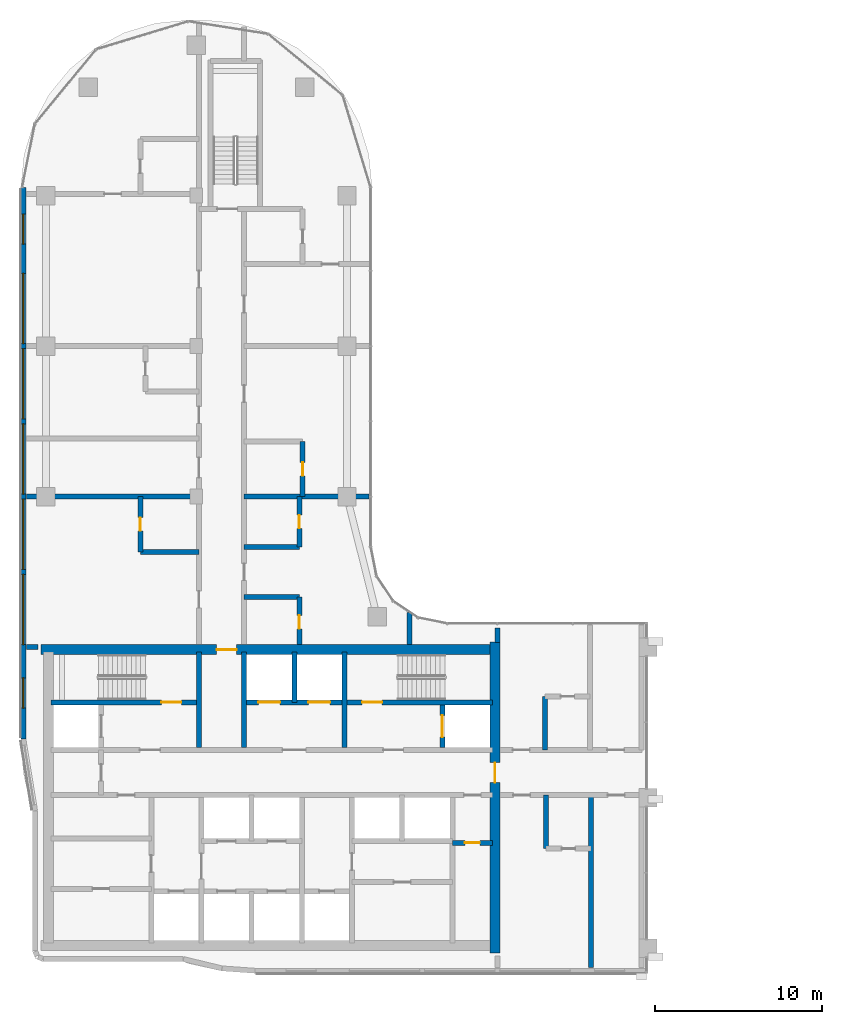
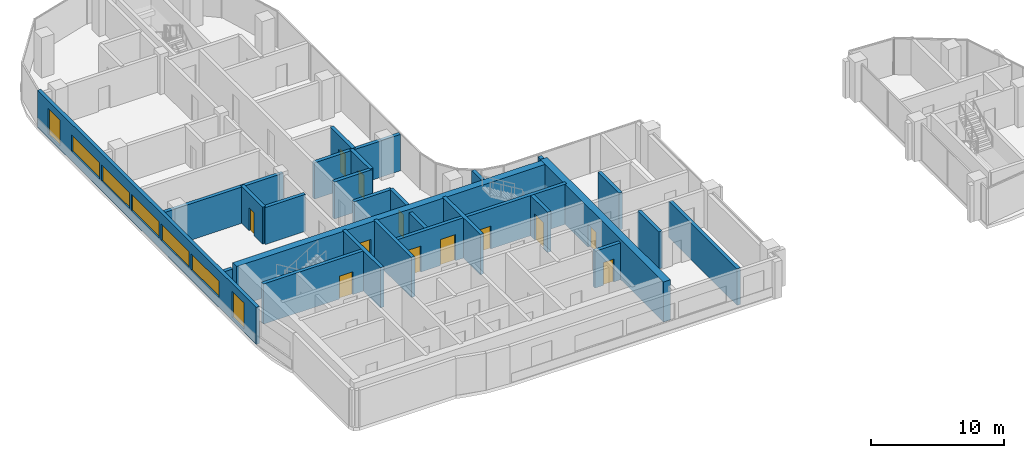
# One storey, part 11 of 23: 26 walls, 12 doors, 7 windows, 19 openings.
"""IFC4 building model written with IfcOpenShell, lengths in metres."""

import ifcopenshell
import ifcopenshell.guid

model = None  # the IFC model being written
_history = None  # IfcOwnerHistory: only IFC2X3 demands one
_inside = {}  # id of a spatial element -> (the spatial element, [elements in it])
_under = {}  # id of a project, library or spatial element -> (it, [spatial elements below it])
_declared = {}  # id of a project -> (the project, [libraries it declares])
_typed = {}  # id of a type object -> (the type object, [elements of that type])
_made_of = {}  # id of a material, layer set ... -> (it, [elements and type objects made of it])


def new_model(schema):
    """Start an empty IFC model of exactly this schema.

    Asked for "IFC4X3", IfcOpenShell would pick the latest addendum, in which some entities
    have other attributes; the version numbers below select the first issue.
    IFC2X3 requires an IfcOwnerHistory on every rooted entity: one is made here for all.
    """
    global model, _history
    if schema == "IFC4X3":
        model = ifcopenshell.file(schema_version=(4, 3, 0, 0))
    else:
        model = ifcopenshell.file(schema=schema)
    _inside.clear()
    _under.clear()
    _declared.clear()
    _typed.clear()
    _made_of.clear()
    _history = None
    if model.schema == "IFC2X3":
        org = make("IfcOrganization", Name="unknown")
        user = make(
            "IfcPersonAndOrganization",
            ThePerson=make("IfcPerson", FamilyName="unknown"),
            TheOrganization=org,
        )
        app = make(
            "IfcApplication",
            ApplicationDeveloper=org,
            Version="unknown",
            ApplicationFullName="unknown",
            ApplicationIdentifier="unknown",
        )
        _history = make(
            "IfcOwnerHistory",
            OwningUser=user,
            OwningApplication=app,
            ChangeAction="ADDED",
            CreationDate=0,
        )
    return model


def make(cls, **values):
    """One entity of the class cls with the attributes given. An attribute that is None is left unset."""
    return model.create_entity(
        cls, **{name: value for name, value in values.items() if value is not None}
    )


def rooted(cls, **values):
    """An entity with a GlobalId (a new one), such as an element, a storey or a relation."""
    return make(cls, GlobalId=ifcopenshell.guid.new(), OwnerHistory=_history, **values)


def si_unit(unit_type, name, prefix=None):
    """IfcSIUnit, for example si_unit("LENGTHUNIT", "METRE", prefix="MILLI")."""
    return make("IfcSIUnit", UnitType=unit_type, Prefix=prefix, Name=name)


def assignment(units):
    """IfcUnitAssignment: the units of a project."""
    return None if units is None else make("IfcUnitAssignment", Units=units)


def point(xyz):
    """IfcCartesianPoint."""
    return None if xyz is None else make("IfcCartesianPoint", Coordinates=xyz)


def direction(xyz):
    """IfcDirection."""
    return None if xyz is None else make("IfcDirection", DirectionRatios=xyz)


def frame(location, z_axis=None, x_axis=None):
    """IfcAxis2Placement3D, a coordinate frame: its origin and axes. An axis left out is left unset."""
    return make(
        "IfcAxis2Placement3D",
        Location=point(location),
        Axis=direction(z_axis),
        RefDirection=direction(x_axis),
    )


def frame_2d(location, x_axis=None):
    """IfcAxis2Placement2D, a coordinate frame in the plane: its origin and x axis."""
    return make(
        "IfcAxis2Placement2D", Location=point(location), RefDirection=direction(x_axis)
    )


def origin():
    """The frame at (0, 0, 0) with its axes left unset."""
    return frame((0.0, 0.0, 0.0))


def place(relative_to, where):
    """IfcLocalPlacement: puts the frame where relative to a parent placement (None: the world)."""
    return make(
        "IfcLocalPlacement", PlacementRelTo=relative_to, RelativePlacement=where
    )


def context(
    kind, dimensions, precision=None, world=None, true_north=None, identifier=None
):
    """IfcGeometricRepresentationContext, for example the 3D "Model" context."""
    return make(
        "IfcGeometricRepresentationContext",
        ContextIdentifier=identifier,
        ContextType=kind,
        CoordinateSpaceDimension=dimensions,
        Precision=precision,
        WorldCoordinateSystem=world,
        TrueNorth=true_north,
    )


def subcontext(parent, identifier, kind, view, scale=None):
    """IfcGeometricRepresentationSubContext, for example "Body" below "Model"."""
    return make(
        "IfcGeometricRepresentationSubContext",
        ContextIdentifier=identifier,
        ContextType=kind,
        ParentContext=parent,
        TargetScale=scale,
        TargetView=view,
    )


def project(units=None, contexts=None):
    """IfcProject with its units and contexts."""
    return rooted(
        "IfcProject",
        Name="project",
        RepresentationContexts=contexts,
        UnitsInContext=assignment(units),
    )


def spatial(cls, under=None, at=None, **own):
    """A site, building, storey or space (cls), placed at a placement, below another one or the project."""
    s = rooted(cls, ObjectPlacement=at, **own)
    if under is not None:
        _under.setdefault(under.id(), (under, []))[1].append(s)
    return s


def profile(cls, at=None, kind="AREA", **sizes):
    """A parametric profile (cls). Its sizes go by their IFC names, for example OverallWidth=200.0."""
    return make(cls, ProfileType=kind, Position=at, **sizes)


def rectangle(**sizes):
    """IfcRectangleProfileDef."""
    return profile("IfcRectangleProfileDef", **sizes)


def extrude(swept, where, along, depth):
    """IfcExtrudedAreaSolid: the profile swept, set in the frame where, extruded along a direction by depth."""
    return make(
        "IfcExtrudedAreaSolid",
        SweptArea=swept,
        Position=where,
        ExtrudedDirection=direction(along),
        Depth=depth,
    )


def shape(context_of_items, identifier, shape_type, items):
    """IfcShapeRepresentation: the items that make up one representation, for example the "Body"."""
    return make(
        "IfcShapeRepresentation",
        ContextOfItems=context_of_items,
        RepresentationIdentifier=identifier,
        RepresentationType=shape_type,
        Items=items,
    )


def material(Name=None, Category=None):
    """IfcMaterial."""
    return make("IfcMaterial", Name=Name, Category=Category)


def layer(
    of_material, thickness, ventilated=None, Name=None, Category=None, Priority=None
):
    """IfcMaterialLayer: one layer of a wall or slab, of a material (None: an air gap)."""
    return make(
        "IfcMaterialLayer",
        Material=of_material,
        LayerThickness=thickness,
        IsVentilated=ventilated,
        Name=Name,
        Category=Category,
        Priority=Priority,
    )


def layer_set(layers, Name=None):
    """IfcMaterialLayerSet."""
    return make("IfcMaterialLayerSet", MaterialLayers=layers, LayerSetName=Name)


def made_of(thing, what):
    """Note that an element or type object is made of a material, layer set ...; save() writes the relation."""
    if what is not None:
        _made_of.setdefault(what.id(), (what, []))[1].append(thing)
    return thing


def type_object(cls, material=None, **own):
    """A type object (cls), such as IfcWallType, which elements share."""
    return made_of(rooted(cls, **own), material)


def element(
    cls,
    number,
    at=None,
    inside=None,
    cuts=None,
    type_object=None,
    material=None,
    context=None,
    identifier="Body",
    shape_type=None,
    held_by="IfcProductDefinitionShape",
    body=None,
    shapes=None,
    **own,
):
    """One element of the class cls, such as IfcWall. Its Tag is "e" and its number.

    at: its placement. inside: the storey or other place that contains it. cuts: it is an
    opening in that element (IfcRelVoidsElement). A single representation is given by context,
    identifier, shape_type and body (its items); several are given by shapes. held_by: the class
    of the entity that holds the representations. save() writes the other relations.
    """
    e = rooted(cls, Tag="e%d" % number, ObjectPlacement=at, **own)
    if body is not None:
        shapes = [shape(context, identifier, shape_type, body)]
    if shapes is not None:
        e.Representation = make(held_by, Representations=shapes)
    if inside is not None:
        _inside.setdefault(inside.id(), (inside, []))[1].append(e)
    if cuts is not None:
        rooted(
            "IfcRelVoidsElement", RelatingBuildingElement=cuts, RelatedOpeningElement=e
        )
    if type_object is not None:
        _typed.setdefault(type_object.id(), (type_object, []))[1].append(e)
    return made_of(e, material)


def fill(opening, filler):
    """IfcRelFillsElement: the door or window that sits in an opening."""
    return rooted(
        "IfcRelFillsElement",
        RelatingOpeningElement=opening,
        RelatedBuildingElement=filler,
    )


def aggregate(whole, parts):
    """IfcRelAggregates: a whole, such as a stair, and the parts it consists of."""
    return rooted("IfcRelAggregates", RelatingObject=whole, RelatedObjects=parts)


def save(model, path):
    """Write the relations noted so far, then the file.

    IfcRelAggregates (storeys below a building ...), IfcRelContainedInSpatialStructure (elements
    in a storey), IfcRelDefinesByType, IfcRelAssociatesMaterial and IfcRelDeclares: one each for
    every whole, place, type object, material and project.
    """
    for whole, parts in _under.values():
        aggregate(whole, parts)
    for where, things in _inside.values():
        rooted(
            "IfcRelContainedInSpatialStructure",
            RelatedElements=things,
            RelatingStructure=where,
        )
    for kind, things in _typed.values():
        rooted("IfcRelDefinesByType", RelatedObjects=things, RelatingType=kind)
    for what, things in _made_of.values():
        rooted("IfcRelAssociatesMaterial", RelatedObjects=things, RelatingMaterial=what)
    for by, libraries in _declared.values():
        rooted("IfcRelDeclares", RelatingContext=by, RelatedDefinitions=libraries)
    model.write(path)


model = new_model("IFC4")

# Units and contexts
model_context = context("Model", 3, precision=1e-05, world=origin(), true_north=direction((0.0, 1.0)))
body_context = subcontext(model_context, "Body", "Model", "MODEL_VIEW")
ifc_project = project(units=[si_unit("LENGTHUNIT", "METRE"), si_unit("AREAUNIT", "SQUARE_METRE"), si_unit("VOLUMEUNIT", "CUBIC_METRE"), si_unit("PLANEANGLEUNIT", "RADIAN"), si_unit("MASSUNIT", "GRAM", prefix="KILO")], contexts=[model_context])

# Site, building, storey
site_placement = place(None, origin())
site = spatial("IfcSite", under=ifc_project, at=site_placement, CompositionType="ELEMENT")
building_placement = place(site_placement, origin())
building = spatial("IfcBuilding", under=site, at=building_placement, Name="Ogive Portal Towers", CompositionType="ELEMENT")
storey_placement = place(building_placement, frame((0.0, 0.0, 149.60009765625)))
storey = spatial("IfcBuildingStorey", under=building, at=storey_placement, Name="L36", CompositionType="ELEMENT", Elevation=149.60009765625)

# Wall, opening, door
ifc_material_1 = material(Name="Concrete C60/75", Category="concrete")
ifc_layer_1 = layer(ifc_material_1, 0.300048828125)
ifc_layer_set_1 = layer_set([ifc_layer_1], Name="CORE WALL 300 C60")
wall_type_1 = type_object("IfcWallType", Name="CORE WALL 300 C60", PredefinedType="SHEAR", material=ifc_layer_set_1)
wall_1_placement = place(storey_placement, frame((31.800048828125, 36.199951171875, 0.0), z_axis=(0.0, 0.0, 1.0), x_axis=(1.0, 0.0, 0.0)))
wall_1 = element("IfcWall", 1, at=wall_1_placement, inside=storey, type_object=wall_type_1, Name="Core wall Y3a L36", PredefinedType="SHEAR", context=body_context, shape_type="SweptSolid", body=[
    extrude(rectangle(XDim=8.699951171875, YDim=0.300048828125, at=frame_2d((4.35009765625, 0.0))), origin(), (0.0, 0.0, 1.0), 3.699951171875),
])
opening_1_placement = place(wall_1_placement, frame((6.60009765625, 0.0, 0.0)))
opening_1 = element("IfcOpeningElement", 2, at=opening_1_placement, cuts=wall_1, Name="Opening D14-005", PredefinedType="OPENING", context=body_context, shape_type="SweptSolid", body=[
    extrude(rectangle(XDim=1.199951171875, YDim=2.10009765625, at=frame_2d((0.60009765625, 1.050048828125))), frame((0.0, 0.16015625, 0.0), z_axis=(0.0, -1.0, 0.0), x_axis=(1.0, 0.0, 0.0)), (0.0, 0.0, 1.0), 0.320068359375),
])
ifc_material_2 = material(Name="Steel fire door", Category="steel")
door_type_1 = type_object("IfcDoorType", Name="DT-SWING-1200x2100-FD90S", OperationType="SINGLE_SWING_LEFT", PredefinedType="DOOR", material=ifc_material_2)
door_1_placement = place(opening_1_placement, origin())
door_1 = element("IfcDoor", 3, at=door_1_placement, inside=storey, type_object=door_type_1, Name="Door D14-005", OperationType="SINGLE_SWING_RIGHT", OverallHeight=2.10009765625, OverallWidth=1.199951171875, PredefinedType="DOOR", context=body_context, shape_type="SweptSolid", body=[
    extrude(rectangle(XDim=1.199951171875, YDim=2.10009765625, at=frame_2d((0.60009765625, 1.050048828125))), frame((0.0, 0.02490234375, 0.0), z_axis=(0.0, -1.0, 0.0), x_axis=(1.0, 0.0, 0.0)), (0.0, 0.0, 1.0), 0.050048828125),
])
fill(opening_1, door_1)

# Wall, openings, doors
wall_2_placement = place(storey_placement, frame((43.5, 36.199951171875, 0.0), z_axis=(0.0, 0.0, 1.0), x_axis=(1.0, 0.0, 0.0)))
wall_2 = element("IfcWall", 4, at=wall_2_placement, inside=storey, type_object=wall_type_1, Name="Core wall Y3b L36", PredefinedType="SHEAR", context=body_context, shape_type="SweptSolid", body=[
    extrude(rectangle(XDim=14.699951171875, YDim=0.300048828125, at=frame_2d((7.35009765625, 0.0))), origin(), (0.0, 0.0, 1.0), 3.699951171875),
])
opening_2_placement = place(wall_2_placement, frame((6.89990234375, 0.0, 0.0)))
opening_2 = element("IfcOpeningElement", 5, at=opening_2_placement, cuts=wall_2, Name="Opening D14-006", PredefinedType="OPENING", context=body_context, shape_type="SweptSolid", body=[
    extrude(rectangle(XDim=1.199951171875, YDim=2.10009765625, at=frame_2d((0.60009765625, 1.050048828125))), frame((0.0, 0.16015625, 0.0), z_axis=(0.0, -1.0, 0.0), x_axis=(1.0, 0.0, 0.0)), (0.0, 0.0, 1.0), 0.320068359375),
])
opening_3_placement = place(wall_2_placement, frame((0.699951171875, 0.0, 0.0)))
opening_3 = element("IfcOpeningElement", 6, at=opening_3_placement, cuts=wall_2, Name="Opening D14-017", PredefinedType="OPENING", context=body_context, shape_type="SweptSolid", body=[
    extrude(rectangle(XDim=1.300048828125, YDim=2.39990234375, at=frame_2d((0.64990234375, 1.199951171875))), frame((0.0, 0.16015625, 0.0), z_axis=(0.0, -1.0, 0.0), x_axis=(1.0, 0.0, 0.0)), (0.0, 0.0, 1.0), 0.320068359375),
])
opening_4_placement = place(wall_2_placement, frame((3.699951171875, 0.0, 0.0)))
opening_4 = element("IfcOpeningElement", 7, at=opening_4_placement, cuts=wall_2, Name="Opening D14-018", PredefinedType="OPENING", context=body_context, shape_type="SweptSolid", body=[
    extrude(rectangle(XDim=1.300048828125, YDim=2.39990234375, at=frame_2d((0.64990234375, 1.199951171875))), frame((0.0, 0.16015625, 0.0), z_axis=(0.0, -1.0, 0.0), x_axis=(1.0, 0.0, 0.0)), (0.0, 0.0, 1.0), 0.320068359375),
])
ifc_material_3 = material(Name="Stainless steel", Category="steel")
door_type_2 = type_object("IfcDoorType", Name="DT-LD-1300x2400", OperationType="SLIDING_TO_LEFT", PredefinedType="DOOR", material=ifc_material_3)
door_2_placement = place(opening_3_placement, origin())
door_2 = element("IfcDoor", 8, at=door_2_placement, inside=storey, type_object=door_type_2, Name="Door D14-017", OperationType="SLIDING_TO_LEFT", OverallHeight=2.39990234375, OverallWidth=1.300048828125, PredefinedType="DOOR", context=body_context, shape_type="SweptSolid", body=[
    extrude(rectangle(XDim=1.300048828125, YDim=2.39990234375, at=frame_2d((0.64990234375, 1.199951171875))), frame((0.0, 0.02490234375, 0.0), z_axis=(0.0, -1.0, 0.0), x_axis=(1.0, 0.0, 0.0)), (0.0, 0.0, 1.0), 0.050048828125),
])
fill(opening_3, door_2)
door_3_placement = place(opening_4_placement, origin())
door_3 = element("IfcDoor", 9, at=door_3_placement, inside=storey, type_object=door_type_2, Name="Door D14-018", OperationType="SLIDING_TO_LEFT", OverallHeight=2.39990234375, OverallWidth=1.300048828125, PredefinedType="DOOR", context=body_context, shape_type="SweptSolid", body=[
    extrude(rectangle(XDim=1.300048828125, YDim=2.39990234375, at=frame_2d((0.64990234375, 1.199951171875))), frame((0.0, 0.02490234375, 0.0), z_axis=(0.0, -1.0, 0.0), x_axis=(1.0, 0.0, 0.0)), (0.0, 0.0, 1.0), 0.050048828125),
])
fill(opening_4, door_3)
door_4_placement = place(opening_2_placement, origin())
door_4 = element("IfcDoor", 10, at=door_4_placement, inside=storey, type_object=door_type_1, Name="Door D14-006", OperationType="SINGLE_SWING_LEFT", OverallHeight=2.10009765625, OverallWidth=1.199951171875, PredefinedType="DOOR", context=body_context, shape_type="SweptSolid", body=[
    extrude(rectangle(XDim=1.199951171875, YDim=2.10009765625, at=frame_2d((0.60009765625, 1.050048828125))), frame((0.0, 0.02490234375, 0.0), z_axis=(0.0, -1.0, 0.0), x_axis=(1.0, 0.0, 0.0)), (0.0, 0.0, 1.0), 0.050048828125),
])
fill(opening_2, door_4)

# Walls
for number, where, z_axis, x_axis, name in (
    (11, (40.64990234375, 33.5, 0.0), (0.0, 0.0, 1.0), (0.0, 1.0, 0.0), "Core wall X6 L36"),
    (12, (43.35009765625, 33.5, 0.0), (0.0, 0.0, 1.0), (0.0, 1.0, 0.0), "Core wall X7 L36"),
    (13, (49.35009765625, 33.5, 0.0), (0.0, 0.0, 1.0), (0.0, 1.0, 0.0), "Core wall X9 L36"),
):
    element("IfcWall", number, at=place(storey_placement, frame(where, z_axis=z_axis, x_axis=x_axis)), inside=storey, type_object=wall_type_1, Name=name, PredefinedType="SHEAR", context=body_context, shape_type="SweptSolid", body=[
        extrude(rectangle(XDim=5.699951171875, YDim=0.300048828125, at=frame_2d((2.85009765625, 0.0))), origin(), (0.0, 0.0, 1.0), 3.699951171875),
    ])

# Wall, opening, door
wall_3_placement = place(storey_placement, frame((55.199951171875, 33.5, 0.0), z_axis=(0.0, 0.0, 1.0), x_axis=(0.0, 1.0, 0.0)))
wall_3 = element("IfcWall", 14, at=wall_3_placement, inside=storey, type_object=wall_type_1, Name="Core wall X10 L36", PredefinedType="SHEAR", context=body_context, shape_type="SweptSolid", body=[
    extrude(rectangle(XDim=2.550048828125, YDim=0.300048828125, at=frame_2d((1.27490234375, 0.0))), origin(), (0.0, 0.0, 1.0), 3.699951171875),
])
opening_5_placement = place(wall_3_placement, frame((0.625, 0.0, 0.0)))
opening_5 = element("IfcOpeningElement", 15, at=opening_5_placement, cuts=wall_3, Name="Opening D14-020", PredefinedType="OPENING", context=body_context, shape_type="SweptSolid", body=[
    extrude(rectangle(XDim=1.300048828125, YDim=2.39990234375, at=frame_2d((0.64990234375, 1.199951171875))), frame((0.0, 0.16015625, 0.0), z_axis=(0.0, -1.0, 0.0), x_axis=(1.0, 0.0, 0.0)), (0.0, 0.0, 1.0), 0.320068359375),
])
door_5_placement = place(opening_5_placement, origin())
door_5 = element("IfcDoor", 16, at=door_5_placement, inside=storey, type_object=door_type_2, Name="Door D14-020", OperationType="SLIDING_TO_LEFT", OverallHeight=2.39990234375, OverallWidth=1.300048828125, PredefinedType="DOOR", context=body_context, shape_type="SweptSolid", body=[
    extrude(rectangle(XDim=1.300048828125, YDim=2.39990234375, at=frame_2d((0.64990234375, 1.199951171875))), frame((0.0, 0.02490234375, 0.0), z_axis=(0.0, -1.0, 0.0), x_axis=(1.0, 0.0, 0.0)), (0.0, 0.0, 1.0), 0.050048828125),
])
fill(opening_5, door_5)

ifc_layer_2 = layer(ifc_material_1, 0.60009765625)
ifc_layer_set_2 = layer_set([ifc_layer_2], Name="CORE WALL 600 C60")
wall_type_2 = type_object("IfcWallType", Name="CORE WALL 600 C60", PredefinedType="SHEAR", material=ifc_layer_set_2)
wall_4_placement = place(storey_placement, frame((58.35009765625, 21.199951171875, 0.0), z_axis=(0.0, 0.0, 1.0), x_axis=(0.0, 1.0, 0.0)))
wall_4 = element("IfcWall", 17, at=wall_4_placement, inside=storey, type_object=wall_type_2, Name="Core wall E L36", PredefinedType="SHEAR", context=body_context, shape_type="SweptSolid", body=[
    extrude(rectangle(XDim=18.60009765625, YDim=0.60009765625, at=frame_2d((9.300048828125, 0.0))), origin(), (0.0, 0.0, 1.0), 3.699951171875),
])
opening_6_placement = place(wall_4_placement, frame((10.199951171875, 0.0, 0.0)))
opening_6 = element("IfcOpeningElement", 18, at=opening_6_placement, cuts=wall_4, Name="Opening D14-011", PredefinedType="OPENING", context=body_context, shape_type="SweptSolid", body=[
    extrude(rectangle(XDim=1.199951171875, YDim=2.10009765625, at=frame_2d((0.60009765625, 1.050048828125))), frame((0.0, 0.31005859375, 0.0), z_axis=(0.0, -1.0, 0.0), x_axis=(1.0, 0.0, 0.0)), (0.0, 0.0, 1.0), 0.6201171875),
])
door_6_placement = place(opening_6_placement, origin())
door_6 = element("IfcDoor", 19, at=door_6_placement, inside=storey, type_object=door_type_1, Name="Door D14-011", OperationType="SINGLE_SWING_LEFT", OverallHeight=2.10009765625, OverallWidth=1.199951171875, PredefinedType="DOOR", context=body_context, shape_type="SweptSolid", body=[
    extrude(rectangle(XDim=1.199951171875, YDim=2.10009765625, at=frame_2d((0.60009765625, 1.050048828125))), frame((0.0, 0.02490234375, 0.0), z_axis=(0.0, -1.0, 0.0), x_axis=(1.0, 0.0, 0.0)), (0.0, 0.0, 1.0), 0.050048828125),
])
fill(opening_6, door_6)

wall_5_placement = place(storey_placement, frame((31.199951171875, 39.35009765625, 0.0), z_axis=(0.0, 0.0, 1.0), x_axis=(1.0, 0.0, 0.0)))
wall_5 = element("IfcWall", 20, at=wall_5_placement, inside=storey, type_object=wall_type_2, Name="Core wall N L36", PredefinedType="SHEAR", context=body_context, shape_type="SweptSolid", body=[
    extrude(rectangle(XDim=27.0, YDim=0.60009765625, at=frame_2d((13.5, 0.0))), origin(), (0.0, 0.0, 1.0), 3.699951171875),
])
opening_7_placement = place(wall_5_placement, frame((10.5, 0.0, 0.0)))
opening_7 = element("IfcOpeningElement", 21, at=opening_7_placement, cuts=wall_5, Name="Opening D14-012", PredefinedType="OPENING", context=body_context, shape_type="SweptSolid", body=[
    extrude(rectangle(XDim=1.199951171875, YDim=2.10009765625, at=frame_2d((0.60009765625, 1.050048828125))), frame((0.0, 0.31005859375, 0.0), z_axis=(0.0, -1.0, 0.0), x_axis=(1.0, 0.0, 0.0)), (0.0, 0.0, 1.0), 0.6201171875),
])
door_7_placement = place(opening_7_placement, origin())
door_7 = element("IfcDoor", 22, at=door_7_placement, inside=storey, type_object=door_type_1, Name="Door D14-012", OperationType="SINGLE_SWING_RIGHT", OverallHeight=2.10009765625, OverallWidth=1.199951171875, PredefinedType="DOOR", context=body_context, shape_type="SweptSolid", body=[
    extrude(rectangle(XDim=1.199951171875, YDim=2.10009765625, at=frame_2d((0.60009765625, 1.050048828125))), frame((0.0, 0.02490234375, 0.0), z_axis=(0.0, -1.0, 0.0), x_axis=(1.0, 0.0, 0.0)), (0.0, 0.0, 1.0), 0.050048828125),
])
fill(opening_7, door_7)

# Wall, openings, windows
ifc_material_4 = material(Name="Limestone cladding on lightweight block wall", Category="masonry")
ifc_layer_3 = layer(ifc_material_4, 0.300048828125)
ifc_layer_set_3 = layer_set([ifc_layer_3], Name="EXTERNAL WALL 300 STONE")
wall_type_3 = type_object("IfcWallType", Name="EXTERNAL WALL 300 STONE", PredefinedType="SOLIDWALL", material=ifc_layer_set_3)
wall_6_placement = place(storey_placement, frame((30.14990234375, 66.9921875, 0.0), z_axis=(0.0, 0.0, 1.0), x_axis=(0.0, -1.0, 0.0)))
wall_6 = element("IfcWall", 23, at=wall_6_placement, inside=storey, type_object=wall_type_3, Name="A:L36:f20:r0:wall", PredefinedType="SOLIDWALL", context=body_context, shape_type="SweptSolid", body=[
    extrude(rectangle(XDim=32.968017578125, YDim=0.300048828125, at=frame_2d((16.48388671875, 0.0))), origin(), (0.0, 0.0, 1.0), 3.39990234375),
])
opening_8_placement = place(wall_6_placement, frame((1.595947265625, 0.0, 0.300048828125)))
opening_8 = element("IfcOpeningElement", 24, at=opening_8_placement, cuts=wall_6, Name="Opening WN10", PredefinedType="OPENING", context=body_context, shape_type="SweptSolid", body=[
    extrude(rectangle(XDim=1.800048828125, YDim=2.39990234375, at=frame_2d((0.89990234375, 1.199951171875))), frame((0.0, 0.16015625, 0.0), z_axis=(0.0, -1.0, 0.0), x_axis=(1.0, 0.0, 0.0)), (0.0, 0.0, 1.0), 0.320068359375),
])
opening_9_placement = place(wall_6_placement, frame((5.14208984375, 0.0, 0.89990234375)))
opening_9 = element("IfcOpeningElement", 25, at=opening_9_placement, cuts=wall_6, Name="Opening WN11", PredefinedType="OPENING", context=body_context, shape_type="SweptSolid", body=[
    extrude(rectangle(XDim=4.199951171875, YDim=1.5, at=frame_2d((2.10009765625, 0.75))), frame((0.0, 0.16015625, 0.0), z_axis=(0.0, -1.0, 0.0), x_axis=(1.0, 0.0, 0.0)), (0.0, 0.0, 1.0), 0.320068359375),
])
opening_10_placement = place(wall_6_placement, frame((9.64208984375, 0.0, 0.89990234375)))
opening_10 = element("IfcOpeningElement", 26, at=opening_10_placement, cuts=wall_6, Name="Opening WN11", PredefinedType="OPENING", context=body_context, shape_type="SweptSolid", body=[
    extrude(rectangle(XDim=4.199951171875, YDim=1.5, at=frame_2d((2.10009765625, 0.75))), frame((0.0, 0.16015625, 0.0), z_axis=(0.0, -1.0, 0.0), x_axis=(1.0, 0.0, 0.0)), (0.0, 0.0, 1.0), 0.320068359375),
])
opening_11_placement = place(wall_6_placement, frame((14.14208984375, 0.0, 0.89990234375)))
opening_11 = element("IfcOpeningElement", 27, at=opening_11_placement, cuts=wall_6, Name="Opening WN11", PredefinedType="OPENING", context=body_context, shape_type="SweptSolid", body=[
    extrude(rectangle(XDim=4.199951171875, YDim=1.5, at=frame_2d((2.10009765625, 0.75))), frame((0.0, 0.16015625, 0.0), z_axis=(0.0, -1.0, 0.0), x_axis=(1.0, 0.0, 0.0)), (0.0, 0.0, 1.0), 0.320068359375),
])
opening_12_placement = place(wall_6_placement, frame((18.64208984375, 0.0, 0.89990234375)))
opening_12 = element("IfcOpeningElement", 28, at=opening_12_placement, cuts=wall_6, Name="Opening WN11", PredefinedType="OPENING", context=body_context, shape_type="SweptSolid", body=[
    extrude(rectangle(XDim=4.199951171875, YDim=1.5, at=frame_2d((2.10009765625, 0.75))), frame((0.0, 0.16015625, 0.0), z_axis=(0.0, -1.0, 0.0), x_axis=(1.0, 0.0, 0.0)), (0.0, 0.0, 1.0), 0.320068359375),
])
opening_13_placement = place(wall_6_placement, frame((23.14208984375, 0.0, 0.89990234375)))
opening_13 = element("IfcOpeningElement", 29, at=opening_13_placement, cuts=wall_6, Name="Opening WN11", PredefinedType="OPENING", context=body_context, shape_type="SweptSolid", body=[
    extrude(rectangle(XDim=4.199951171875, YDim=1.5, at=frame_2d((2.10009765625, 0.75))), frame((0.0, 0.16015625, 0.0), z_axis=(0.0, -1.0, 0.0), x_axis=(1.0, 0.0, 0.0)), (0.0, 0.0, 1.0), 0.320068359375),
])
opening_14_placement = place(wall_6_placement, frame((29.330078125, 0.0, 0.300048828125)))
opening_14 = element("IfcOpeningElement", 30, at=opening_14_placement, cuts=wall_6, Name="Opening WN10", PredefinedType="OPENING", context=body_context, shape_type="SweptSolid", body=[
    extrude(rectangle(XDim=1.800048828125, YDim=2.39990234375, at=frame_2d((0.89990234375, 1.199951171875))), frame((0.0, 0.16015625, 0.0), z_axis=(0.0, -1.0, 0.0), x_axis=(1.0, 0.0, 0.0)), (0.0, 0.0, 1.0), 0.320068359375),
])
ifc_material_5 = material(Name="Glass, clear low-iron insulated glazing", Category="glass")
window_type_1 = type_object("IfcWindowType", Name="WINDOW RIBBON 4200x1500", PartitioningType="TRIPLE_PANEL_VERTICAL", PredefinedType="WINDOW", material=ifc_material_5)
window_1_placement = place(opening_9_placement, origin())
window_1 = element("IfcWindow", 31, at=window_1_placement, inside=storey, type_object=window_type_1, Name="A:L36:f20:r0:w1", OverallHeight=1.5, OverallWidth=4.199951171875, PartitioningType="SINGLE_PANEL", PredefinedType="WINDOW", context=body_context, shape_type="SweptSolid", body=[
    extrude(rectangle(XDim=4.199951171875, YDim=1.5, at=frame_2d((2.10009765625, 0.75))), frame((0.0, 0.030029296875, 0.0), z_axis=(0.0, -1.0, 0.0), x_axis=(1.0, 0.0, 0.0)), (0.0, 0.0, 1.0), 0.06005859375),
])
fill(opening_9, window_1)
window_2_placement = place(opening_10_placement, origin())
window_2 = element("IfcWindow", 32, at=window_2_placement, inside=storey, type_object=window_type_1, Name="A:L36:f20:r0:w2", OverallHeight=1.5, OverallWidth=4.199951171875, PartitioningType="SINGLE_PANEL", PredefinedType="WINDOW", context=body_context, shape_type="SweptSolid", body=[
    extrude(rectangle(XDim=4.199951171875, YDim=1.5, at=frame_2d((2.10009765625, 0.75))), frame((0.0, 0.030029296875, 0.0), z_axis=(0.0, -1.0, 0.0), x_axis=(1.0, 0.0, 0.0)), (0.0, 0.0, 1.0), 0.06005859375),
])
fill(opening_10, window_2)
window_3_placement = place(opening_11_placement, origin())
window_3 = element("IfcWindow", 33, at=window_3_placement, inside=storey, type_object=window_type_1, Name="A:L36:f20:r0:w3", OverallHeight=1.5, OverallWidth=4.199951171875, PartitioningType="SINGLE_PANEL", PredefinedType="WINDOW", context=body_context, shape_type="SweptSolid", body=[
    extrude(rectangle(XDim=4.199951171875, YDim=1.5, at=frame_2d((2.10009765625, 0.75))), frame((0.0, 0.030029296875, 0.0), z_axis=(0.0, -1.0, 0.0), x_axis=(1.0, 0.0, 0.0)), (0.0, 0.0, 1.0), 0.06005859375),
])
fill(opening_11, window_3)
window_4_placement = place(opening_12_placement, origin())
window_4 = element("IfcWindow", 34, at=window_4_placement, inside=storey, type_object=window_type_1, Name="A:L36:f20:r0:w4", OverallHeight=1.5, OverallWidth=4.199951171875, PartitioningType="SINGLE_PANEL", PredefinedType="WINDOW", context=body_context, shape_type="SweptSolid", body=[
    extrude(rectangle(XDim=4.199951171875, YDim=1.5, at=frame_2d((2.10009765625, 0.75))), frame((0.0, 0.030029296875, 0.0), z_axis=(0.0, -1.0, 0.0), x_axis=(1.0, 0.0, 0.0)), (0.0, 0.0, 1.0), 0.06005859375),
])
fill(opening_12, window_4)
window_5_placement = place(opening_13_placement, origin())
window_5 = element("IfcWindow", 35, at=window_5_placement, inside=storey, type_object=window_type_1, Name="A:L36:f20:r0:w5", OverallHeight=1.5, OverallWidth=4.199951171875, PartitioningType="SINGLE_PANEL", PredefinedType="WINDOW", context=body_context, shape_type="SweptSolid", body=[
    extrude(rectangle(XDim=4.199951171875, YDim=1.5, at=frame_2d((2.10009765625, 0.75))), frame((0.0, 0.030029296875, 0.0), z_axis=(0.0, -1.0, 0.0), x_axis=(1.0, 0.0, 0.0)), (0.0, 0.0, 1.0), 0.06005859375),
])
fill(opening_13, window_5)
window_type_2 = type_object("IfcWindowType", Name="WINDOW SUITE CORNER 1800x2400", PartitioningType="DOUBLE_PANEL_VERTICAL", PredefinedType="WINDOW", material=ifc_material_5)
window_6_placement = place(opening_8_placement, origin())
window_6 = element("IfcWindow", 36, at=window_6_placement, inside=storey, type_object=window_type_2, Name="A:L36:f20:r0:w0", OverallHeight=2.39990234375, OverallWidth=1.800048828125, PartitioningType="SINGLE_PANEL", PredefinedType="WINDOW", context=body_context, shape_type="SweptSolid", body=[
    extrude(rectangle(XDim=1.800048828125, YDim=2.39990234375, at=frame_2d((0.89990234375, 1.199951171875))), frame((0.0, 0.030029296875, 0.0), z_axis=(0.0, -1.0, 0.0), x_axis=(1.0, 0.0, 0.0)), (0.0, 0.0, 1.0), 0.06005859375),
])
fill(opening_8, window_6)
window_7_placement = place(opening_14_placement, origin())
window_7 = element("IfcWindow", 37, at=window_7_placement, inside=storey, type_object=window_type_2, Name="A:L36:f20:r0:w6", OverallHeight=2.39990234375, OverallWidth=1.800048828125, PartitioningType="SINGLE_PANEL", PredefinedType="WINDOW", context=body_context, shape_type="SweptSolid", body=[
    extrude(rectangle(XDim=1.800048828125, YDim=2.39990234375, at=frame_2d((0.89990234375, 1.199951171875))), frame((0.0, 0.030029296875, 0.0), z_axis=(0.0, -1.0, 0.0), x_axis=(1.0, 0.0, 0.0)), (0.0, 0.0, 1.0), 0.06005859375),
])
fill(opening_14, window_7)

# Wall, opening, door
ifc_material_6 = material(Name="Gypsum board partition on steel studs", Category="steel")
ifc_layer_4 = layer(ifc_material_6, 0.300048828125)
ifc_layer_set_4 = layer_set([ifc_layer_4], Name="WT-PART-300")
wall_type_4 = type_object("IfcWallType", Name="WT-PART-300", PredefinedType="PARTITIONING", material=ifc_layer_set_4)
wall_7_placement = place(storey_placement, frame((55.800048828125, 27.800048828125, 0.0), z_axis=(0.0, 0.0, 1.0), x_axis=(1.0, 0.0, 0.0)))
wall_7 = element("IfcWall", 38, at=wall_7_placement, inside=storey, type_object=wall_type_4, Name="Wall pw:004:L36", PredefinedType="PARTITIONING", context=body_context, shape_type="SweptSolid", body=[
    extrude(rectangle(XDim=2.39990234375, YDim=0.300048828125, at=frame_2d((1.199951171875, 0.0))), origin(), (0.0, 0.0, 1.0), 3.39990234375),
])
opening_15_placement = place(wall_7_placement, frame((0.75, 0.0, 0.0)))
opening_15 = element("IfcOpeningElement", 39, at=opening_15_placement, cuts=wall_7, Name="Opening D14-010", PredefinedType="OPENING", context=body_context, shape_type="SweptSolid", body=[
    extrude(rectangle(XDim=0.89990234375, YDim=2.10009765625, at=frame_2d((0.449951171875, 1.050048828125))), frame((0.0, 0.16015625, 0.0), z_axis=(0.0, -1.0, 0.0), x_axis=(1.0, 0.0, 0.0)), (0.0, 0.0, 1.0), 0.320068359375),
])
door_type_3 = type_object("IfcDoorType", Name="DT-SWING-900x2100-FD60S", OperationType="SINGLE_SWING_LEFT", PredefinedType="DOOR", material=ifc_material_2)
door_8_placement = place(opening_15_placement, origin())
door_8 = element("IfcDoor", 40, at=door_8_placement, inside=storey, type_object=door_type_3, Name="Door D14-010", OperationType="SINGLE_SWING_RIGHT", OverallHeight=2.10009765625, OverallWidth=0.89990234375, PredefinedType="DOOR", context=body_context, shape_type="SweptSolid", body=[
    extrude(rectangle(XDim=0.89990234375, YDim=2.10009765625, at=frame_2d((0.449951171875, 1.050048828125))), frame((0.0, 0.02490234375, 0.0), z_axis=(0.0, -1.0, 0.0), x_axis=(1.0, 0.0, 0.0)), (0.0, 0.0, 1.0), 0.050048828125),
])
fill(opening_15, door_8)

# Walls
ifc_layer_5 = layer(ifc_material_6, 0.300048828125)
ifc_layer_set_5 = layer_set([ifc_layer_5], Name="WT-PART-300-EI 60")
wall_type_5 = type_object("IfcWallType", Name="WT-PART-300-EI 60", PredefinedType="PARTITIONING", material=ifc_layer_set_5)
wall_8_placement = place(storey_placement, frame((30.35009765625, 39.5, 0.0), z_axis=(0.0, 0.0, 1.0), x_axis=(1.0, 0.0, 0.0)))
element("IfcWall", 41, at=wall_8_placement, inside=storey, type_object=wall_type_5, Name="Wall L36:w008", PredefinedType="PARTITIONING", context=body_context, shape_type="SweptSolid", body=[
    extrude(rectangle(XDim=0.679931640625, YDim=0.300048828125, at=frame_2d((0.33984375, 0.0))), origin(), (0.0, 0.0, 1.0), 3.349853515625),
])
wall_9_placement = place(storey_placement, frame((43.35009765625, 42.5, 0.0), z_axis=(0.0, 0.0, 1.0), x_axis=(1.0, 0.0, 0.0)))
element("IfcWall", 42, at=wall_9_placement, inside=storey, type_object=wall_type_5, Name="Wall L36:w009", PredefinedType="PARTITIONING", context=body_context, shape_type="SweptSolid", body=[
    extrude(rectangle(XDim=3.2998046875, YDim=0.300048828125, at=frame_2d((1.64990234375, 0.0))), origin(), (0.0, 0.0, 1.0), 3.39990234375),
])
wall_10_placement = place(storey_placement, frame((37.14990234375, 45.199951171875, 0.0), z_axis=(0.0, 0.0, 1.0), x_axis=(1.0, 0.0, 0.0)))
element("IfcWall", 43, at=wall_10_placement, inside=storey, type_object=wall_type_5, Name="Wall L36:w010", PredefinedType="PARTITIONING", context=body_context, shape_type="SweptSolid", body=[
    extrude(rectangle(XDim=3.5, YDim=0.300048828125, at=frame_2d((1.75, 0.0))), origin(), (0.0, 0.0, 1.0), 3.39990234375),
])
wall_11_placement = place(storey_placement, frame((43.35009765625, 45.5, 0.0), z_axis=(0.0, 0.0, 1.0), x_axis=(1.0, 0.0, 0.0)))
element("IfcWall", 44, at=wall_11_placement, inside=storey, type_object=wall_type_5, Name="Wall L36:w011", PredefinedType="PARTITIONING", context=body_context, shape_type="SweptSolid", body=[
    extrude(rectangle(XDim=3.2998046875, YDim=0.300048828125, at=frame_2d((1.64990234375, 0.0))), origin(), (0.0, 0.0, 1.0), 3.39990234375),
])
wall_12_placement = place(storey_placement, frame((30.35009765625, 48.5, 0.0), z_axis=(0.0, 0.0, 1.0), x_axis=(1.0, 0.0, 0.0)))
element("IfcWall", 45, at=wall_12_placement, inside=storey, type_object=wall_type_5, Name="Wall L36:w012", PredefinedType="PARTITIONING", context=body_context, shape_type="SweptSolid", body=[
    extrude(rectangle(XDim=10.2998046875, YDim=0.300048828125, at=frame_2d((5.14990234375, 0.0))), origin(), (0.0, 0.0, 1.0), 3.349853515625),
])
wall_13_placement = place(storey_placement, frame((43.35009765625, 48.5, 0.0), z_axis=(0.0, 0.0, 1.0), x_axis=(1.0, 0.0, 0.0)))
element("IfcWall", 46, at=wall_13_placement, inside=storey, type_object=wall_type_5, Name="Wall L36:w013", PredefinedType="PARTITIONING", context=body_context, shape_type="SweptSolid", body=[
    extrude(rectangle(XDim=7.47998046875, YDim=0.300048828125, at=frame_2d((3.739990234375, 0.0))), origin(), (0.0, 0.0, 1.0), 3.349853515625),
])

# Wall, opening, door
wall_14_placement = place(storey_placement, frame((37.14990234375, 45.199951171875, 0.0), z_axis=(0.0, 0.0, 1.0), x_axis=(0.0, 1.0, 0.0)))
wall_14 = element("IfcWall", 47, at=wall_14_placement, inside=storey, type_object=wall_type_5, Name="Wall L36:w024", PredefinedType="PARTITIONING", context=body_context, shape_type="SweptSolid", body=[
    extrude(rectangle(XDim=3.300048828125, YDim=0.300048828125, at=frame_2d((1.64990234375, 0.0))), origin(), (0.0, 0.0, 1.0), 3.39990234375),
])
opening_16_placement = place(wall_14_placement, frame((1.25, 0.0, 0.0)))
opening_16 = element("IfcOpeningElement", 48, at=opening_16_placement, cuts=wall_14, Name="Opening D14-036", PredefinedType="OPENING", context=body_context, shape_type="SweptSolid", body=[
    extrude(rectangle(XDim=0.800048828125, YDim=2.10009765625, at=frame_2d((0.39990234375, 1.050048828125))), frame((0.0, 0.16015625, 0.0), z_axis=(0.0, -1.0, 0.0), x_axis=(1.0, 0.0, 0.0)), (0.0, 0.0, 1.0), 0.320068359375),
])
door_type_4 = type_object("IfcDoorType", Name="DT-BATH-800x2100-FD60S", OperationType="SINGLE_SWING_LEFT", PredefinedType="DOOR", material=ifc_material_2)
door_9_placement = place(opening_16_placement, origin())
door_9 = element("IfcDoor", 49, at=door_9_placement, inside=storey, type_object=door_type_4, Name="Door D14-036", OperationType="SINGLE_SWING_RIGHT", OverallHeight=2.10009765625, OverallWidth=0.800048828125, PredefinedType="DOOR", context=body_context, shape_type="SweptSolid", body=[
    extrude(rectangle(XDim=0.800048828125, YDim=2.10009765625, at=frame_2d((0.39990234375, 1.050048828125))), frame((0.0, 0.02490234375, 0.0), z_axis=(0.0, -1.0, 0.0), x_axis=(1.0, 0.0, 0.0)), (0.0, 0.0, 1.0), 0.050048828125),
])
fill(opening_16, door_9)

wall_15_placement = place(storey_placement, frame((46.64990234375, 39.64990234375, 0.0), z_axis=(0.0, 0.0, 1.0), x_axis=(0.0, 1.0, 0.0)))
wall_15 = element("IfcWall", 50, at=wall_15_placement, inside=storey, type_object=wall_type_5, Name="Wall L36:w032", PredefinedType="PARTITIONING", context=body_context, shape_type="SweptSolid", body=[
    extrude(rectangle(XDim=2.85009765625, YDim=0.300048828125, at=frame_2d((1.425048828125, 0.0))), origin(), (0.0, 0.0, 1.0), 3.39990234375),
])
opening_17_placement = place(wall_15_placement, frame((0.949951171875, 0.0, 0.0)))
opening_17 = element("IfcOpeningElement", 51, at=opening_17_placement, cuts=wall_15, Name="Opening D14-033", PredefinedType="OPENING", context=body_context, shape_type="SweptSolid", body=[
    extrude(rectangle(XDim=0.800048828125, YDim=2.10009765625, at=frame_2d((0.39990234375, 1.050048828125))), frame((0.0, 0.16015625, 0.0), z_axis=(0.0, -1.0, 0.0), x_axis=(1.0, 0.0, 0.0)), (0.0, 0.0, 1.0), 0.320068359375),
])
door_10_placement = place(opening_17_placement, origin())
door_10 = element("IfcDoor", 52, at=door_10_placement, inside=storey, type_object=door_type_4, Name="Door D14-033", OperationType="SINGLE_SWING_RIGHT", OverallHeight=2.10009765625, OverallWidth=0.800048828125, PredefinedType="DOOR", context=body_context, shape_type="SweptSolid", body=[
    extrude(rectangle(XDim=0.800048828125, YDim=2.10009765625, at=frame_2d((0.39990234375, 1.050048828125))), frame((0.0, 0.02490234375, 0.0), z_axis=(0.0, -1.0, 0.0), x_axis=(1.0, 0.0, 0.0)), (0.0, 0.0, 1.0), 0.050048828125),
])
fill(opening_17, door_10)

wall_16_placement = place(storey_placement, frame((46.64990234375, 45.5, 0.0), z_axis=(0.0, 0.0, 1.0), x_axis=(0.0, 1.0, 0.0)))
wall_16 = element("IfcWall", 53, at=wall_16_placement, inside=storey, type_object=wall_type_5, Name="Wall L36:w033", PredefinedType="PARTITIONING", context=body_context, shape_type="SweptSolid", body=[
    extrude(rectangle(XDim=3.0, YDim=0.300048828125, at=frame_2d((1.5, 0.0))), origin(), (0.0, 0.0, 1.0), 3.39990234375),
])
opening_18_placement = place(wall_16_placement, frame((1.10009765625, 0.0, 0.0)))
opening_18 = element("IfcOpeningElement", 54, at=opening_18_placement, cuts=wall_16, Name="Opening D14-034", PredefinedType="OPENING", context=body_context, shape_type="SweptSolid", body=[
    extrude(rectangle(XDim=0.800048828125, YDim=2.10009765625, at=frame_2d((0.39990234375, 1.050048828125))), frame((0.0, 0.16015625, 0.0), z_axis=(0.0, -1.0, 0.0), x_axis=(1.0, 0.0, 0.0)), (0.0, 0.0, 1.0), 0.320068359375),
])
door_11_placement = place(opening_18_placement, origin())
door_11 = element("IfcDoor", 55, at=door_11_placement, inside=storey, type_object=door_type_4, Name="Door D14-034", OperationType="SINGLE_SWING_LEFT", OverallHeight=2.10009765625, OverallWidth=0.800048828125, PredefinedType="DOOR", context=body_context, shape_type="SweptSolid", body=[
    extrude(rectangle(XDim=0.800048828125, YDim=2.10009765625, at=frame_2d((0.39990234375, 1.050048828125))), frame((0.0, 0.02490234375, 0.0), z_axis=(0.0, -1.0, 0.0), x_axis=(1.0, 0.0, 0.0)), (0.0, 0.0, 1.0), 0.050048828125),
])
fill(opening_18, door_11)

wall_17_placement = place(storey_placement, frame((46.85009765625, 48.5, 0.0), z_axis=(0.0, 0.0, 1.0), x_axis=(0.0, 1.0, 0.0)))
wall_17 = element("IfcWall", 56, at=wall_17_placement, inside=storey, type_object=wall_type_5, Name="Wall L36:w034", PredefinedType="PARTITIONING", context=body_context, shape_type="SweptSolid", body=[
    extrude(rectangle(XDim=3.300048828125, YDim=0.300048828125, at=frame_2d((1.64990234375, 0.0))), origin(), (0.0, 0.0, 1.0), 3.39990234375),
])
opening_19_placement = place(wall_17_placement, frame((1.25, 0.0, 0.0)))
opening_19 = element("IfcOpeningElement", 57, at=opening_19_placement, cuts=wall_17, Name="Opening D14-038", PredefinedType="OPENING", context=body_context, shape_type="SweptSolid", body=[
    extrude(rectangle(XDim=0.800048828125, YDim=2.10009765625, at=frame_2d((0.39990234375, 1.050048828125))), frame((0.0, 0.16015625, 0.0), z_axis=(0.0, -1.0, 0.0), x_axis=(1.0, 0.0, 0.0)), (0.0, 0.0, 1.0), 0.320068359375),
])
door_12_placement = place(opening_19_placement, origin())
door_12 = element("IfcDoor", 58, at=door_12_placement, inside=storey, type_object=door_type_4, Name="Door D14-038", OperationType="SINGLE_SWING_LEFT", OverallHeight=2.10009765625, OverallWidth=0.800048828125, PredefinedType="DOOR", context=body_context, shape_type="SweptSolid", body=[
    extrude(rectangle(XDim=0.800048828125, YDim=2.10009765625, at=frame_2d((0.39990234375, 1.050048828125))), frame((0.0, 0.02490234375, 0.0), z_axis=(0.0, -1.0, 0.0), x_axis=(1.0, 0.0, 0.0)), (0.0, 0.0, 1.0), 0.050048828125),
])
fill(opening_19, door_12)

# Walls
wall_18_placement = place(storey_placement, frame((53.25, 39.64990234375, 0.0), z_axis=(0.0, 0.0, 1.0), x_axis=(0.0, 1.0, 0.0)))
element("IfcWall", 59, at=wall_18_placement, inside=storey, type_object=wall_type_5, Name="Wall L36:w036", PredefinedType="PARTITIONING", context=body_context, shape_type="SweptSolid", body=[
    extrude(rectangle(XDim=1.9150390625, YDim=0.300048828125, at=frame_2d((0.95751953125, 0.0))), origin(), (0.0, 0.0, 1.0), 3.349853515625),
])
wall_19_placement = place(storey_placement, frame((58.5, 39.7900390625, 0.0), z_axis=(0.0, 0.0, 1.0), x_axis=(0.0, 1.0, 0.0)))
element("IfcWall", 60, at=wall_19_placement, inside=storey, type_object=wall_type_5, Name="Wall L36:w038", PredefinedType="PARTITIONING", context=body_context, shape_type="SweptSolid", body=[
    extrude(rectangle(XDim=0.85986328125, YDim=0.300048828125, at=frame_2d((0.429931640625, 0.0))), origin(), (0.0, 0.0, 1.0), 3.349853515625),
])
for number, where, z_axis, x_axis, name in (
    (61, (61.343994140625, 33.35009765625, 0.0), (0.0, 0.0, 1.0), (0.0, 1.0, 0.0), "Wall L36:w039"),
    (62, (61.39990234375, 27.449951171875, 0.0), (0.0, 0.0, 1.0), (0.0, 1.0, 0.0), "Wall L36:w040"),
):
    element("IfcWall", number, at=place(storey_placement, frame(where, z_axis=z_axis, x_axis=x_axis)), inside=storey, type_object=wall_type_5, Name=name, PredefinedType="PARTITIONING", context=body_context, shape_type="SweptSolid", body=[
        extrude(rectangle(XDim=3.199951171875, YDim=0.300048828125, at=frame_2d((1.60009765625, 0.0))), origin(), (0.0, 0.0, 1.0), 3.39990234375),
    ])
wall_20_placement = place(storey_placement, frame((64.10009765625, 20.35009765625, 0.0), z_axis=(0.0, 0.0, 1.0), x_axis=(0.0, 1.0, 0.0)))
element("IfcWall", 63, at=wall_20_placement, inside=storey, type_object=wall_type_5, Name="Wall L36:w042", PredefinedType="PARTITIONING", context=body_context, shape_type="SweptSolid", body=[
    extrude(rectangle(XDim=10.2998046875, YDim=0.300048828125, at=frame_2d((5.14990234375, 0.0))), origin(), (0.0, 0.0, 1.0), 3.349853515625),
])
ifc_material_7 = material(Name="Concrete C40/50", Category="concrete")
ifc_layer_6 = layer(ifc_material_7, 0.300048828125)
ifc_layer_set_6 = layer_set([ifc_layer_6], Name="WT-SHAFT-300")
wall_type_6 = type_object("IfcWallType", Name="WT-SHAFT-300", PredefinedType="SOLIDWALL", material=ifc_layer_set_6)
wall_21_placement = place(storey_placement, frame((46.35009765625, 36.199951171875, 0.0), z_axis=(0.0, 0.0, 1.0), x_axis=(0.0, 1.0, 0.0)))
element("IfcWall", 64, at=wall_21_placement, inside=storey, type_object=wall_type_6, Name="Wall pw:011:L36", PredefinedType="SOLIDWALL", context=body_context, shape_type="SweptSolid", body=[
    extrude(rectangle(XDim=3.0, YDim=0.300048828125, at=frame_2d((1.5, 0.0))), origin(), (0.0, 0.0, 1.0), 3.39990234375),
])

save(model, "model.ifc")
